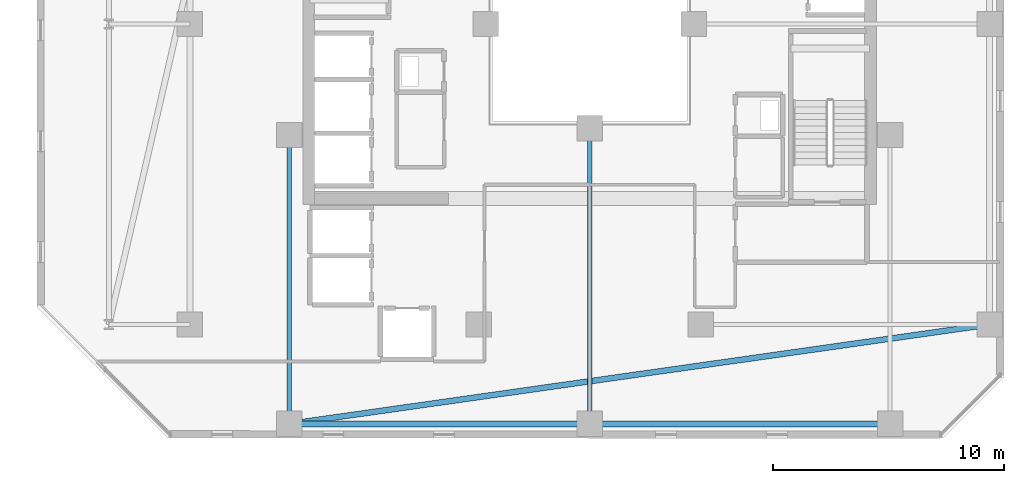
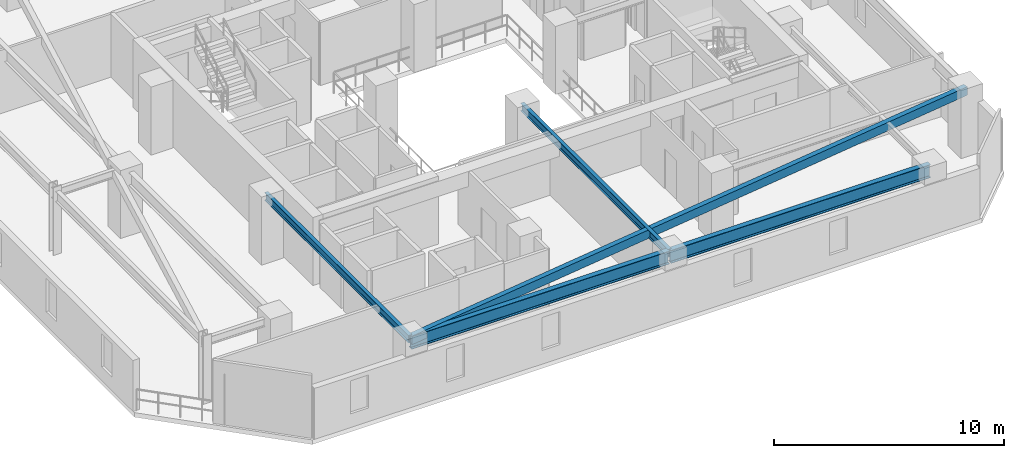
# One storey, part 12 of 32: 5 beams.
"""IFC4 building model written with IfcOpenShell, lengths in metres."""

from ifc_helpers import new_model, si_unit, direction, frame, origin, origin_2d, place, context, subcontext, project, spatial, hollow_rectangle, i_section, extrude, material, material_profile, profile_set, type_object, element, save


model = new_model("IFC4")

# Units and contexts
model_context = context("Model", 3, precision=1e-05, world=origin(), true_north=direction((0.0, 1.0)))
body_context = subcontext(model_context, "Body", "Model", "MODEL_VIEW")
ifc_project = project(units=[si_unit("LENGTHUNIT", "METRE"), si_unit("AREAUNIT", "SQUARE_METRE"), si_unit("VOLUMEUNIT", "CUBIC_METRE"), si_unit("PLANEANGLEUNIT", "RADIAN"), si_unit("MASSUNIT", "GRAM", prefix="KILO")], contexts=[model_context])

# Site, building, storey
site_placement = place(None, origin())
site = spatial("IfcSite", under=ifc_project, at=site_placement, CompositionType="ELEMENT")
building_placement = place(site_placement, origin())
building = spatial("IfcBuilding", under=site, at=building_placement, Name="Thornwick Lancets Civic Towers", CompositionType="ELEMENT")
storey_placement = place(building_placement, frame((0.0, 0.0, 182.10009765625)))
storey = spatial("IfcBuildingStorey", under=building, at=storey_placement, Name="L48", CompositionType="ELEMENT", Elevation=182.10009765625)

# Beams
ifc_material = material(Name="Steel S355JR", Category="steel")
ifc_material_profile_1 = material_profile(ifc_material, i_section(OverallWidth=0.255859375, OverallDepth=0.69287109375, WebThickness=0.014404296875, FlangeThickness=0.023681640625, FilletRadius=0.01513671875, at=origin_2d()), Name="UKB 686x254x170")
ifc_profile_set_1 = profile_set([ifc_material_profile_1], Name="Steel S355JR")
beam_type_1 = type_object("IfcBeamType", Name="BM_GIRD_686_170", PredefinedType="BEAM", material=ifc_profile_set_1)
beam_1_placement = place(storey_placement, frame((101.5, 9.699951171875, 3.013427734375), z_axis=(-1.0, 0.0, 0.0), x_axis=(0.0, -1.0, 0.0)))
element("IfcBeam", 1, at=beam_1_placement, inside=storey, type_object=beam_type_1, Name="BM-SPINE-L48-B-9-10", PredefinedType="BEAM", context=body_context, shape_type="SweptSolid", body=[
    extrude(i_section(OverallWidth=0.255859375, OverallDepth=0.69287109375, WebThickness=0.014404296875, FlangeThickness=0.023681640625, FilletRadius=0.01513671875, at=origin_2d()), origin(), (0.0, 0.0, 1.0), 13.0),
])
beam_2_placement = place(storey_placement, frame((88.419921875, 9.699951171875, 3.013427734375), z_axis=(-1.0, 0.0, 0.0), x_axis=(0.0, -1.0, 0.0)))
element("IfcBeam", 2, at=beam_2_placement, inside=storey, type_object=beam_type_1, Name="BM-SPINE-L48-B-10-11", PredefinedType="BEAM", context=body_context, shape_type="SweptSolid", body=[
    extrude(i_section(OverallWidth=0.255859375, OverallDepth=0.69287109375, WebThickness=0.014404296875, FlangeThickness=0.023681640625, FilletRadius=0.01513671875, at=origin_2d()), origin(), (0.0, 0.0, 1.0), 12.919921875),
])
ifc_material_profile_2 = material_profile(ifc_material, i_section(OverallWidth=0.179443359375, OverallDepth=0.412841796875, WebThickness=0.009521484375, FlangeThickness=0.01611328125, FilletRadius=0.01025390625, at=origin_2d()), Name="UKB 406x178x74")
ifc_profile_set_2 = profile_set([ifc_material_profile_2], Name="Steel S355JR")
beam_type_2 = type_object("IfcBeamType", Name="BM_JOIST_406_74", PredefinedType="JOIST", material=ifc_profile_set_2)
beam_3_placement = place(storey_placement, frame((88.5, 22.5, 3.153564453125), z_axis=(0.0, -1.0, 0.0), x_axis=(1.0, 0.0, 0.0)))
element("IfcBeam", 3, at=beam_3_placement, inside=storey, type_object=beam_type_2, Name="BM-RADIN-L48-B11", PredefinedType="JOIST", context=body_context, shape_type="SweptSolid", body=[
    extrude(i_section(OverallWidth=0.179443359375, OverallDepth=0.412841796875, WebThickness=0.009521484375, FlangeThickness=0.01611328125, FilletRadius=0.01025390625, at=origin_2d()), origin(), (0.0, 0.0, 1.0), 12.800048828125),
])
beam_4_placement = place(storey_placement, frame((75.5, 22.199951171875, 3.153564453125), z_axis=(0.0, -1.0, 0.0), x_axis=(1.0, 0.0, 0.0)))
element("IfcBeam", 4, at=beam_4_placement, inside=storey, type_object=beam_type_2, Name="BM-RADIN-L48-B12", PredefinedType="JOIST", context=body_context, shape_type="SweptSolid", body=[
    extrude(i_section(OverallWidth=0.179443359375, OverallDepth=0.412841796875, WebThickness=0.009521484375, FlangeThickness=0.01611328125, FilletRadius=0.01025390625, at=origin_2d()), origin(), (0.0, 0.0, 1.0), 12.5),
])
ifc_material_profile_3 = material_profile(ifc_material, hollow_rectangle(XDim=0.25, YDim=0.449951171875, WallThickness=0.01611328125, at=origin_2d()), Name="RHS 450x250x16")
ifc_profile_set_3 = profile_set([ifc_material_profile_3], Name="Steel S355JR")
beam_type_3 = type_object("IfcBeamType", Name="BM_RING_RHS450", PredefinedType="BEAM", material=ifc_profile_set_3)
beam_5_placement = place(storey_placement, frame((75.5, 9.699951171875, 3.135009765625), z_axis=(0.990079584012, 0.140507712682, 0.0), x_axis=(-0.140507712682, 0.990079584012, 0.0)))
element("IfcBeam", 5, at=beam_5_placement, inside=storey, type_object=beam_type_3, Name="BM-CHAMF-L48-B-C3", PredefinedType="BEAM", context=body_context, shape_type="SweptSolid", body=[
    extrude(hollow_rectangle(XDim=0.25, YDim=0.449951171875, WallThickness=0.01611328125, at=origin_2d()), origin(), (0.0, 0.0, 1.0), 30.603759765625),
])

save(model, "model.ifc")
